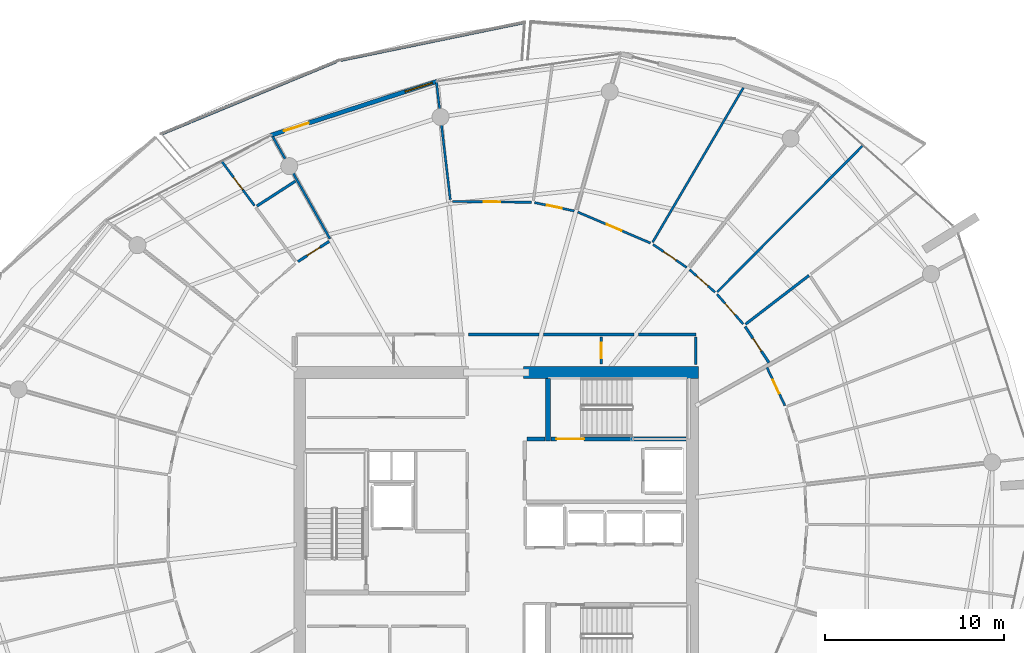
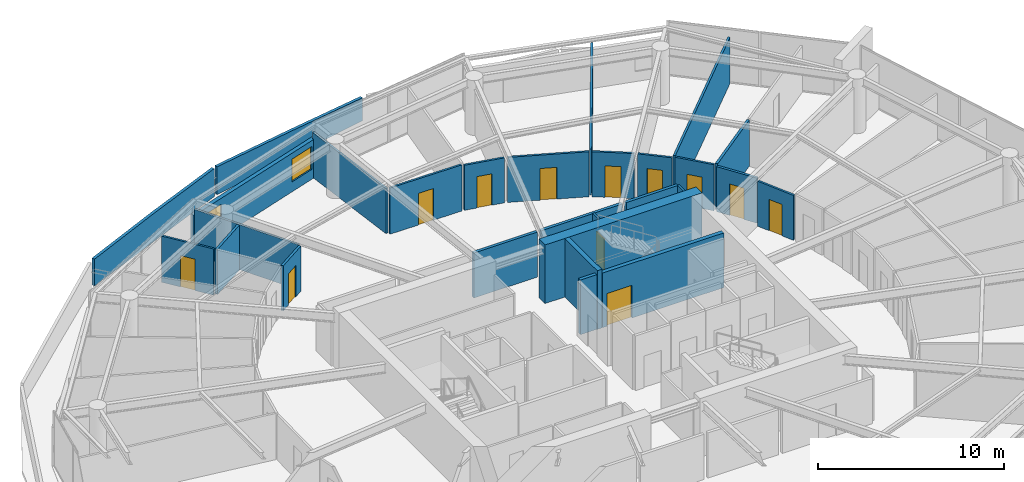
# One storey, part 22 of 30: 28 walls, 13 doors, 1 window, 14 openings.
"""IFC4 building model written with IfcOpenShell, lengths in metres."""

import ifcopenshell
import ifcopenshell.guid

model = None  # the IFC model being written
_history = None  # IfcOwnerHistory: only IFC2X3 demands one
_inside = {}  # id of a spatial element -> (the spatial element, [elements in it])
_under = {}  # id of a project, library or spatial element -> (it, [spatial elements below it])
_declared = {}  # id of a project -> (the project, [libraries it declares])
_typed = {}  # id of a type object -> (the type object, [elements of that type])
_made_of = {}  # id of a material, layer set ... -> (it, [elements and type objects made of it])


def new_model(schema):
    """Start an empty IFC model of exactly this schema.

    Asked for "IFC4X3", IfcOpenShell would pick the latest addendum, in which some entities
    have other attributes; the version numbers below select the first issue.
    IFC2X3 requires an IfcOwnerHistory on every rooted entity: one is made here for all.
    """
    global model, _history
    if schema == "IFC4X3":
        model = ifcopenshell.file(schema_version=(4, 3, 0, 0))
    else:
        model = ifcopenshell.file(schema=schema)
    _inside.clear()
    _under.clear()
    _declared.clear()
    _typed.clear()
    _made_of.clear()
    _history = None
    if model.schema == "IFC2X3":
        org = make("IfcOrganization", Name="unknown")
        user = make(
            "IfcPersonAndOrganization",
            ThePerson=make("IfcPerson", FamilyName="unknown"),
            TheOrganization=org,
        )
        app = make(
            "IfcApplication",
            ApplicationDeveloper=org,
            Version="unknown",
            ApplicationFullName="unknown",
            ApplicationIdentifier="unknown",
        )
        _history = make(
            "IfcOwnerHistory",
            OwningUser=user,
            OwningApplication=app,
            ChangeAction="ADDED",
            CreationDate=0,
        )
    return model


def make(cls, **values):
    """One entity of the class cls with the attributes given. An attribute that is None is left unset."""
    return model.create_entity(
        cls, **{name: value for name, value in values.items() if value is not None}
    )


def rooted(cls, **values):
    """An entity with a GlobalId (a new one), such as an element, a storey or a relation."""
    return make(cls, GlobalId=ifcopenshell.guid.new(), OwnerHistory=_history, **values)


def si_unit(unit_type, name, prefix=None):
    """IfcSIUnit, for example si_unit("LENGTHUNIT", "METRE", prefix="MILLI")."""
    return make("IfcSIUnit", UnitType=unit_type, Prefix=prefix, Name=name)


def assignment(units):
    """IfcUnitAssignment: the units of a project."""
    return None if units is None else make("IfcUnitAssignment", Units=units)


def point(xyz):
    """IfcCartesianPoint."""
    return None if xyz is None else make("IfcCartesianPoint", Coordinates=xyz)


def direction(xyz):
    """IfcDirection."""
    return None if xyz is None else make("IfcDirection", DirectionRatios=xyz)


def frame(location, z_axis=None, x_axis=None):
    """IfcAxis2Placement3D, a coordinate frame: its origin and axes. An axis left out is left unset."""
    return make(
        "IfcAxis2Placement3D",
        Location=point(location),
        Axis=direction(z_axis),
        RefDirection=direction(x_axis),
    )


def frame_2d(location, x_axis=None):
    """IfcAxis2Placement2D, a coordinate frame in the plane: its origin and x axis."""
    return make(
        "IfcAxis2Placement2D", Location=point(location), RefDirection=direction(x_axis)
    )


def origin():
    """The frame at (0, 0, 0) with its axes left unset."""
    return frame((0.0, 0.0, 0.0))


def place(relative_to, where):
    """IfcLocalPlacement: puts the frame where relative to a parent placement (None: the world)."""
    return make(
        "IfcLocalPlacement", PlacementRelTo=relative_to, RelativePlacement=where
    )


def context(
    kind, dimensions, precision=None, world=None, true_north=None, identifier=None
):
    """IfcGeometricRepresentationContext, for example the 3D "Model" context."""
    return make(
        "IfcGeometricRepresentationContext",
        ContextIdentifier=identifier,
        ContextType=kind,
        CoordinateSpaceDimension=dimensions,
        Precision=precision,
        WorldCoordinateSystem=world,
        TrueNorth=true_north,
    )


def subcontext(parent, identifier, kind, view, scale=None):
    """IfcGeometricRepresentationSubContext, for example "Body" below "Model"."""
    return make(
        "IfcGeometricRepresentationSubContext",
        ContextIdentifier=identifier,
        ContextType=kind,
        ParentContext=parent,
        TargetScale=scale,
        TargetView=view,
    )


def project(units=None, contexts=None):
    """IfcProject with its units and contexts."""
    return rooted(
        "IfcProject",
        Name="project",
        RepresentationContexts=contexts,
        UnitsInContext=assignment(units),
    )


def spatial(cls, under=None, at=None, **own):
    """A site, building, storey or space (cls), placed at a placement, below another one or the project."""
    s = rooted(cls, ObjectPlacement=at, **own)
    if under is not None:
        _under.setdefault(under.id(), (under, []))[1].append(s)
    return s


def polyline(points):
    """IfcPolyline through the points."""
    return make("IfcPolyline", Points=[point(p) for p in points])


def profile(cls, at=None, kind="AREA", **sizes):
    """A parametric profile (cls). Its sizes go by their IFC names, for example OverallWidth=200.0."""
    return make(cls, ProfileType=kind, Position=at, **sizes)


def rectangle(**sizes):
    """IfcRectangleProfileDef."""
    return profile("IfcRectangleProfileDef", **sizes)


def outline(outer, holes=None, kind="AREA"):
    """IfcArbitraryClosedProfileDef: a profile drawn as a closed curve; with holes, ...WithVoids."""
    if holes is None:
        return make("IfcArbitraryClosedProfileDef", ProfileType=kind, OuterCurve=outer)
    return make(
        "IfcArbitraryProfileDefWithVoids",
        ProfileType=kind,
        OuterCurve=outer,
        InnerCurves=holes,
    )


def extrude(swept, where, along, depth):
    """IfcExtrudedAreaSolid: the profile swept, set in the frame where, extruded along a direction by depth."""
    return make(
        "IfcExtrudedAreaSolid",
        SweptArea=swept,
        Position=where,
        ExtrudedDirection=direction(along),
        Depth=depth,
    )


def shape(context_of_items, identifier, shape_type, items):
    """IfcShapeRepresentation: the items that make up one representation, for example the "Body"."""
    return make(
        "IfcShapeRepresentation",
        ContextOfItems=context_of_items,
        RepresentationIdentifier=identifier,
        RepresentationType=shape_type,
        Items=items,
    )


def material(Name=None, Category=None):
    """IfcMaterial."""
    return make("IfcMaterial", Name=Name, Category=Category)


def layer(
    of_material, thickness, ventilated=None, Name=None, Category=None, Priority=None
):
    """IfcMaterialLayer: one layer of a wall or slab, of a material (None: an air gap)."""
    return make(
        "IfcMaterialLayer",
        Material=of_material,
        LayerThickness=thickness,
        IsVentilated=ventilated,
        Name=Name,
        Category=Category,
        Priority=Priority,
    )


def layer_set(layers, Name=None):
    """IfcMaterialLayerSet."""
    return make("IfcMaterialLayerSet", MaterialLayers=layers, LayerSetName=Name)


def made_of(thing, what):
    """Note that an element or type object is made of a material, layer set ...; save() writes the relation."""
    if what is not None:
        _made_of.setdefault(what.id(), (what, []))[1].append(thing)
    return thing


def type_object(cls, material=None, **own):
    """A type object (cls), such as IfcWallType, which elements share."""
    return made_of(rooted(cls, **own), material)


def element(
    cls,
    number,
    at=None,
    inside=None,
    cuts=None,
    type_object=None,
    material=None,
    context=None,
    identifier="Body",
    shape_type=None,
    held_by="IfcProductDefinitionShape",
    body=None,
    shapes=None,
    **own,
):
    """One element of the class cls, such as IfcWall. Its Tag is "e" and its number.

    at: its placement. inside: the storey or other place that contains it. cuts: it is an
    opening in that element (IfcRelVoidsElement). A single representation is given by context,
    identifier, shape_type and body (its items); several are given by shapes. held_by: the class
    of the entity that holds the representations. save() writes the other relations.
    """
    e = rooted(cls, Tag="e%d" % number, ObjectPlacement=at, **own)
    if body is not None:
        shapes = [shape(context, identifier, shape_type, body)]
    if shapes is not None:
        e.Representation = make(held_by, Representations=shapes)
    if inside is not None:
        _inside.setdefault(inside.id(), (inside, []))[1].append(e)
    if cuts is not None:
        rooted(
            "IfcRelVoidsElement", RelatingBuildingElement=cuts, RelatedOpeningElement=e
        )
    if type_object is not None:
        _typed.setdefault(type_object.id(), (type_object, []))[1].append(e)
    return made_of(e, material)


def fill(opening, filler):
    """IfcRelFillsElement: the door or window that sits in an opening."""
    return rooted(
        "IfcRelFillsElement",
        RelatingOpeningElement=opening,
        RelatedBuildingElement=filler,
    )


def aggregate(whole, parts):
    """IfcRelAggregates: a whole, such as a stair, and the parts it consists of."""
    return rooted("IfcRelAggregates", RelatingObject=whole, RelatedObjects=parts)


def save(model, path):
    """Write the relations noted so far, then the file.

    IfcRelAggregates (storeys below a building ...), IfcRelContainedInSpatialStructure (elements
    in a storey), IfcRelDefinesByType, IfcRelAssociatesMaterial and IfcRelDeclares: one each for
    every whole, place, type object, material and project.
    """
    for whole, parts in _under.values():
        aggregate(whole, parts)
    for where, things in _inside.values():
        rooted(
            "IfcRelContainedInSpatialStructure",
            RelatedElements=things,
            RelatingStructure=where,
        )
    for kind, things in _typed.values():
        rooted("IfcRelDefinesByType", RelatedObjects=things, RelatingType=kind)
    for what, things in _made_of.values():
        rooted("IfcRelAssociatesMaterial", RelatedObjects=things, RelatingMaterial=what)
    for by, libraries in _declared.values():
        rooted("IfcRelDeclares", RelatingContext=by, RelatedDefinitions=libraries)
    model.write(path)


model = new_model("IFC4")

# Units and contexts
model_context = context("Model", 3, precision=1e-05, world=origin(), true_north=direction((0.0, 1.0)))
body_context = subcontext(model_context, "Body", "Model", "MODEL_VIEW")
ifc_project = project(units=[si_unit("LENGTHUNIT", "METRE"), si_unit("AREAUNIT", "SQUARE_METRE"), si_unit("VOLUMEUNIT", "CUBIC_METRE"), si_unit("PLANEANGLEUNIT", "RADIAN"), si_unit("MASSUNIT", "GRAM", prefix="KILO")], contexts=[model_context])

# Site, building, storey
site_placement = place(None, origin())
site = spatial("IfcSite", under=ifc_project, at=site_placement, CompositionType="ELEMENT")
building_placement = place(site_placement, origin())
building = spatial("IfcBuilding", under=site, at=building_placement, Name="Kazma Halo Residences", CompositionType="ELEMENT")
storey_placement = place(building_placement, frame((0.0, 0.0, 244.39990234375)))
storey = spatial("IfcBuildingStorey", under=building, at=storey_placement, Name="L61", CompositionType="ELEMENT", Elevation=244.39990234375)

# Walls
ifc_material_1 = material(Name="White Concrete C50/60 Balustrade", Category="concrete")
ifc_layer_1 = layer(ifc_material_1, 0.179931640625)
ifc_layer_set_1 = layer_set([ifc_layer_1], Name="White Concrete C50/60 Balustrade")
wall_type_1 = type_object("IfcWallType", Name="WL-BAL-WAVE-180", PredefinedType="PARAPET", material=ifc_layer_set_1)
wall_1_placement = place(storey_placement, frame((50.02099609375, 69.85546875, 0.0), z_axis=(0.0, 0.0, 1.0), x_axis=(-0.979472745479, -0.201576637692, 0.0)))
element("IfcWall", 1, at=wall_1_placement, inside=storey, type_object=wall_type_1, Name="L61 white wave balustrade wall NNW.1", PredefinedType="PARAPET", context=body_context, shape_type="SweptSolid", body=[
    extrude(outline(polyline([(0.0, 0.0), (10.475341796875, 0.0), (10.4755859375, 1.83203125), (5.23779296875, 1.696044921875), (0.0, 1.4970703125), (0.0, 0.0)])), frame((0.0, 0.08984375, 0.0), z_axis=(0.0, -1.0, 0.0), x_axis=(1.0, 0.0, 0.0)), (0.0, 0.0, 1.0), 0.179931640625),
])
wall_2_placement = place(storey_placement, frame((39.5322265625, 67.673583984375, 0.0), z_axis=(0.0, 0.0, 1.0), x_axis=(-0.92394906856, -0.382515514336, 0.0)))
element("IfcWall", 2, at=wall_2_placement, inside=storey, type_object=wall_type_1, Name="L61 white wave balustrade wall NNW.2", PredefinedType="PARAPET", context=body_context, shape_type="SweptSolid", body=[
    extrude(outline(polyline([(0.0, 0.0), (10.580322265625, 0.0), (10.580322265625, 1.756103515625), (5.290283203125, 1.85302734375), (0.0, 1.83203125), (0.0, 0.0)])), frame((0.0, 0.08984375, 0.0), z_axis=(0.0, -1.0, 0.0), x_axis=(1.0, 0.0, 0.0)), (0.0, 0.0, 1.0), 0.179931640625),
])
ifc_material_2 = material(Name="Concrete C60/75", Category="concrete")
ifc_layer_2 = layer(ifc_material_2, 0.64990234375)
ifc_layer_set_2 = layer_set([ifc_layer_2], Name="Concrete C60/75")
wall_type_2 = type_object("IfcWallType", Name="WL-CORE-650", PredefinedType="SHEAR", material=ifc_layer_set_2)
wall_3_placement = place(storey_placement, frame((49.949951171875, 50.324951171875, 0.0), z_axis=(0.0, 0.0, 1.0), x_axis=(1.0, 0.0, 0.0)))
element("IfcWall", 3, at=wall_3_placement, inside=storey, type_object=wall_type_2, Name="L61 central core shear wall NE", PredefinedType="SHEAR", context=body_context, shape_type="SweptSolid", body=[
    extrude(rectangle(XDim=9.75, YDim=0.64990234375, at=frame_2d((4.875, 0.0))), origin(), (0.0, 0.0, 1.0), 3.85009765625),
])
ifc_layer_3 = layer(ifc_material_2, 0.280029296875)
ifc_layer_set_3 = layer_set([ifc_layer_3], Name="Concrete C60/75")
wall_type_3 = type_object("IfcWallType", Name="WL-CORE-ST-280", PredefinedType="SHEAR", material=ifc_layer_set_3)
wall_4_placement = place(storey_placement, frame((51.31005859375, 46.5, 0.0), z_axis=(0.0, 0.0, 1.0), x_axis=(0.0, 1.0, 0.0)))
element("IfcWall", 4, at=wall_4_placement, inside=storey, type_object=wall_type_3, Name="L61 stairwell bearing wall ST02-W", PredefinedType="SHEAR", context=body_context, shape_type="SweptSolid", body=[
    extrude(rectangle(XDim=3.5, YDim=0.280029296875, at=frame_2d((1.75, 0.0))), origin(), (0.0, 0.0, 1.0), 3.85009765625),
])
ifc_material_3 = material(Name="Acoustic Twin-Stud Gypsum")
ifc_layer_4 = layer(ifc_material_3, 0.179931640625)
ifc_layer_set_4 = layer_set([ifc_layer_4], Name="Acoustic Twin-Stud Gypsum")
wall_type_4 = type_object("IfcWallType", Name="WL-DEM-180", PredefinedType="PARTITIONING", material=ifc_layer_set_4)
wall_5_placement = place(storey_placement, frame((59.580078125, 52.449951171875, 0.0), z_axis=(0.0, 0.0, 1.0), x_axis=(-1.0, 0.0, 0.0)))
element("IfcWall", 5, at=wall_5_placement, inside=storey, type_object=wall_type_4, Name="L61 Apartment 1 inner wall 0", PredefinedType="PARTITIONING", context=body_context, shape_type="SweptSolid", body=[
    extrude(rectangle(XDim=3.221923828125, YDim=0.179931640625, at=frame_2d((1.61083984375, 0.0))), origin(), (0.0, 0.0, 1.0), 2.95703125),
])
wall_6_placement = place(storey_placement, frame((56.1181640625, 52.449951171875, 0.0), z_axis=(0.0, 0.0, 1.0), x_axis=(-1.0, 0.0, 0.0)))
element("IfcWall", 6, at=wall_6_placement, inside=storey, type_object=wall_type_4, Name="L61 Apartment 1 inner wall 1", PredefinedType="PARTITIONING", context=body_context, shape_type="SweptSolid", body=[
    extrude(rectangle(XDim=5.051025390625, YDim=0.179931640625, at=frame_2d((2.525390625, 0.0))), origin(), (0.0, 0.0, 1.0), 2.95703125),
])
wall_7_placement = place(storey_placement, frame((50.8271484375, 52.449951171875, 0.0), z_axis=(0.0, 0.0, 1.0), x_axis=(-1.0, 0.0, 0.0)))
element("IfcWall", 7, at=wall_7_placement, inside=storey, type_object=wall_type_4, Name="L61 Apartment 1 inner wall 2", PredefinedType="PARTITIONING", context=body_context, shape_type="SweptSolid", body=[
    extrude(rectangle(XDim=3.94384765625, YDim=0.179931640625, at=frame_2d((1.971923828125, 0.0))), origin(), (0.0, 0.0, 1.0), 2.95703125),
])

# Wall, openings, door, window
ifc_material_4 = material(Name="Insulated Pale-Metal Composite Wall")
ifc_layer_5 = layer(ifc_material_4, 0.239990234375)
ifc_layer_set_5 = layer_set([ifc_layer_5], Name="Insulated Pale-Metal Composite Wall")
wall_type_5 = type_object("IfcWallType", Name="WL-EXT-HOST-240", PredefinedType="SOLIDWALL", material=ifc_layer_set_5)
wall_8_placement = place(storey_placement, frame((45.14208984375, 66.563720703125, 0.0), z_axis=(0.0, 0.0, 1.0), x_axis=(-0.951055974609, -0.309018661507, 0.0)))
wall_8 = element("IfcWall", 8, at=wall_8_placement, inside=storey, type_object=wall_type_5, Name="L61 exterior terrace-access wall B04", PredefinedType="SOLIDWALL", context=body_context, shape_type="SweptSolid", body=[
    extrude(rectangle(XDim=9.745361328125, YDim=0.239990234375, at=frame_2d((4.87255859375, 0.0))), origin(), (0.0, 0.0, 1.0), 2.5400390625),
])
opening_1_placement = place(wall_8_placement, frame((7.525390625, 0.0, 0.0)))
opening_1 = element("IfcOpeningElement", 9, at=opening_1_placement, cuts=wall_8, Name="Opening DTR-1600", PredefinedType="OPENING", context=body_context, shape_type="SweptSolid", body=[
    extrude(rectangle(XDim=1.449951171875, YDim=2.14990234375, at=frame_2d((0.72509765625, 1.074951171875))), frame((0.0, 0.1298828125, 0.0), z_axis=(0.0, -1.0, 0.0), x_axis=(1.0, 0.0, 0.0)), (0.0, 0.0, 1.0), 0.260009765625),
])
opening_2_placement = place(wall_8_placement, frame((0.280029296875, 0.0, 0.64990234375)))
opening_2 = element("IfcOpeningElement", 10, at=opening_2_placement, cuts=wall_8, Name="Opening W-1800", PredefinedType="OPENING", context=body_context, shape_type="SweptSolid", body=[
    extrude(rectangle(XDim=1.60009765625, YDim=1.5, at=frame_2d((0.800048828125, 0.75))), frame((0.0, 0.1298828125, 0.0), z_axis=(0.0, -1.0, 0.0), x_axis=(1.0, 0.0, 0.0)), (0.0, 0.0, 1.0), 0.260009765625),
])
ifc_material_5 = material(Name="Aluminium AW-6063 T6 Double-Glazed Terrace Door", Category="aluminium")
door_type_1 = type_object("IfcDoorType", Name="DR-EXT-TERR-1600", OperationType="NOTDEFINED", PredefinedType="DOOR", material=ifc_material_5)
door_1_placement = place(opening_1_placement, origin())
door_1 = element("IfcDoor", 11, at=door_1_placement, inside=storey, type_object=door_type_1, Name="L61 B04 balcony terrace door", OperationType="DOUBLE_DOOR_SLIDING", OverallHeight=2.14990234375, OverallWidth=1.449951171875, PredefinedType="DOOR", context=body_context, shape_type="SweptSolid", body=[
    extrude(rectangle(XDim=1.449951171875, YDim=2.14990234375, at=frame_2d((0.72509765625, 1.074951171875))), frame((0.0, 0.02490234375, 0.0), z_axis=(0.0, -1.0, 0.0), x_axis=(1.0, 0.0, 0.0)), (0.0, 0.0, 1.0), 0.050048828125),
])
fill(opening_1, door_1)
ifc_material_6 = material(Name="Clear Triple-Silver Low-E Glass in Aluminium AW-6063 T6 Frame", Category="aluminium")
window_type = type_object("IfcWindowType", Name="WIN-RES-1800", PartitioningType="DOUBLE_PANEL_VERTICAL", PredefinedType="WINDOW", material=ifc_material_6)
window_placement = place(opening_2_placement, origin())
window = element("IfcWindow", 12, at=window_placement, inside=storey, type_object=window_type, Name="L61 B04 apartment window", OverallHeight=1.5, OverallWidth=1.60009765625, PartitioningType="SINGLE_PANEL", PredefinedType="WINDOW", context=body_context, shape_type="SweptSolid", body=[
    extrude(rectangle(XDim=1.60009765625, YDim=1.5, at=frame_2d((0.800048828125, 0.75))), frame((0.0, 0.030029296875, 0.0), z_axis=(0.0, -1.0, 0.0), x_axis=(1.0, 0.0, 0.0)), (0.0, 0.0, 1.0), 0.06005859375),
])
fill(opening_2, window)

# Walls
ifc_material_7 = material(Name="Fire-Rated Blockwork Masonry", Category="masonry")
ifc_layer_6 = layer(ifc_material_7, 0.199951171875)
ifc_layer_set_6 = layer_set([ifc_layer_6], Name="Fire-Rated Blockwork Masonry")
wall_type_6 = type_object("IfcWallType", Name="WL-FLB-200", PredefinedType="PARTITIONING", material=ifc_layer_set_6)
wall_9_placement = place(storey_placement, frame((50.139892578125, 46.6201171875, 0.0), z_axis=(0.0, 0.0, 1.0), x_axis=(1.0, 0.0, 0.0)))
element("IfcWall", 13, at=wall_9_placement, inside=storey, type_object=wall_type_6, Name="L61 east firefighting lobby north closure wall", PredefinedType="PARTITIONING", context=body_context, shape_type="SweptSolid", body=[
    extrude(rectangle(XDim=1.02001953125, YDim=0.199951171875, at=frame_2d((0.510009765625, 0.0))), origin(), (0.0, 0.0, 1.0), 3.590087890625),
])
ifc_material_8 = material(Name="Gypsum Plasterboard Partition")
ifc_layer_7 = layer(ifc_material_8, 0.125)
ifc_layer_set_7 = layer_set([ifc_layer_7], Name="Gypsum Plasterboard Partition")
wall_type_7 = type_object("IfcWallType", Name="WL-PART-125", PredefinedType="PARTITIONING", material=ifc_layer_set_7)
wall_10_placement = place(storey_placement, frame((59.56005859375, 50.77001953125, 0.0), z_axis=(0.0, 0.0, 1.0), x_axis=(0.0, 1.0, 0.0)))
element("IfcWall", 14, at=wall_10_placement, inside=storey, type_object=wall_type_7, Name="L61 east cupboard end wall", PredefinedType="PARTITIONING", context=body_context, shape_type="SweptSolid", body=[
    extrude(rectangle(XDim=1.5400390625, YDim=0.125, at=frame_2d((0.77001953125, 0.0))), origin(), (0.0, 0.0, 1.0), 3.030029296875),
])

# Wall, opening, door
wall_11_placement = place(storey_placement, frame((54.2900390625, 50.7900390625, 0.0), z_axis=(0.0, 0.0, 1.0), x_axis=(0.0, 1.0, 0.0)))
wall_11 = element("IfcWall", 15, at=wall_11_placement, inside=storey, type_object=wall_type_7, Name="L61 floor metering cupboard door wall", PredefinedType="PARTITIONING", context=body_context, shape_type="SweptSolid", body=[
    extrude(rectangle(XDim=1.52001953125, YDim=0.125, at=frame_2d((0.760009765625, 0.0))), origin(), (0.0, 0.0, 1.0), 3.030029296875),
])
opening_3_placement = place(wall_11_placement, frame((0.3349609375, 0.0, 0.0)))
opening_3 = element("IfcOpeningElement", 16, at=opening_3_placement, cuts=wall_11, Name="Opening DS-850", PredefinedType="OPENING", context=body_context, shape_type="SweptSolid", body=[
    extrude(rectangle(XDim=0.85009765625, YDim=2.06005859375, at=frame_2d((0.425048828125, 1.030029296875))), frame((0.0, 0.072509765625, 0.0), z_axis=(0.0, -1.0, 0.0), x_axis=(1.0, 0.0, 0.0)), (0.0, 0.0, 1.0), 0.14501953125),
])
ifc_material_9 = material(Name="Painted Steel Access Leaf", Category="steel")
door_type_2 = type_object("IfcDoorType", Name="DR-SVC-850", OperationType="NOTDEFINED", PredefinedType="DOOR", material=ifc_material_9)
door_2_placement = place(opening_3_placement, origin())
door_2 = element("IfcDoor", 17, at=door_2_placement, inside=storey, type_object=door_type_2, Name="L61 floor cupboard door", OperationType="SINGLE_SWING_LEFT", OverallHeight=2.06005859375, OverallWidth=0.85009765625, PredefinedType="DOOR", context=body_context, shape_type="SweptSolid", body=[
    extrude(rectangle(XDim=0.85009765625, YDim=2.06005859375, at=frame_2d((0.425048828125, 1.030029296875))), frame((0.0, 0.02490234375, 0.0), z_axis=(0.0, -1.0, 0.0), x_axis=(1.0, 0.0, 0.0)), (0.0, 0.0, 1.0), 0.050048828125),
])
fill(opening_3, door_2)

# Wall
wall_12_placement = place(storey_placement, frame((60.749267578125, 54.8154296875, 0.0), z_axis=(0.0, 0.0, 1.0), x_axis=(0.705267705861, 0.708941085753, 0.0)))
element("IfcWall", 18, at=wall_12_placement, inside=storey, type_object=wall_type_7, Name="L61 Apartment 1 suite divider 0", PredefinedType="PARTITIONING", context=body_context, shape_type="SweptSolid", body=[
    extrude(rectangle(XDim=11.498046875, YDim=0.125, at=frame_2d((5.7490234375, 0.0))), origin(), (0.0, 0.0, 1.0), 3.030029296875),
])

# Wall, opening, door
wall_13_placement = place(storey_placement, frame((62.200439453125, 53.030517578125, 0.0), z_axis=(0.0, 0.0, 1.0), x_axis=(-0.660650282497, 0.750693815238, 0.0)))
wall_13 = element("IfcWall", 19, at=wall_13_placement, inside=storey, type_object=wall_type_7, Name="L61 Apartment 1 Gourmet Kitchen hall wall", PredefinedType="PARTITIONING", context=body_context, shape_type="SweptSolid", body=[
    extrude(rectangle(XDim=2.21240234375, YDim=0.125, at=frame_2d((1.106201171875, 0.0))), origin(), (0.0, 0.0, 1.0), 3.030029296875),
])
opening_4_placement = place(wall_13_placement, frame((0.681396484375, 0.0, 0.0)))
opening_4 = element("IfcOpeningElement", 20, at=opening_4_placement, cuts=wall_13, Name="Opening DB-900", PredefinedType="OPENING", context=body_context, shape_type="SweptSolid", body=[
    extrude(rectangle(XDim=0.85009765625, YDim=2.06005859375, at=frame_2d((0.425048828125, 1.030029296875))), frame((0.0, 0.072509765625, 0.0), z_axis=(0.0, -1.0, 0.0), x_axis=(1.0, 0.0, 0.0)), (0.0, 0.0, 1.0), 0.14501953125),
])
ifc_material_10 = material(Name="Moisture-Sealed Timber Leaf", Category="wood")
door_type_3 = type_object("IfcDoorType", Name="DR-BTH-900", OperationType="NOTDEFINED", PredefinedType="DOOR", material=ifc_material_10)
door_3_placement = place(opening_4_placement, origin())
door_3 = element("IfcDoor", 21, at=door_3_placement, inside=storey, type_object=door_type_3, Name="L61 Apartment 1 Gourmet Kitchen door", OperationType="SINGLE_SWING_RIGHT", OverallHeight=2.06005859375, OverallWidth=0.85009765625, PredefinedType="DOOR", context=body_context, shape_type="SweptSolid", body=[
    extrude(rectangle(XDim=0.85009765625, YDim=2.06005859375, at=frame_2d((0.425048828125, 1.030029296875))), frame((0.0, 0.02490234375, 0.0), z_axis=(0.0, -1.0, 0.0), x_axis=(1.0, 0.0, 0.0)), (0.0, 0.0, 1.0), 0.050048828125),
])
fill(opening_4, door_3)

wall_14_placement = place(storey_placement, frame((60.6259765625, 54.8046875, 0.0), z_axis=(0.0, 0.0, 1.0), x_axis=(-0.748419746602, 0.663225363581, 0.0)))
wall_14 = element("IfcWall", 22, at=wall_14_placement, inside=storey, type_object=wall_type_7, Name="L61 Apartment 1 Primary Bedroom hall wall", PredefinedType="PARTITIONING", context=body_context, shape_type="SweptSolid", body=[
    extrude(rectangle(XDim=1.891357421875, YDim=0.125, at=frame_2d((0.94580078125, 0.0))), origin(), (0.0, 0.0, 1.0), 2.95703125),
])
opening_5_placement = place(wall_14_placement, frame((0.520751953125, 0.0, 0.0)))
opening_5 = element("IfcOpeningElement", 23, at=opening_5_placement, cuts=wall_14, Name="Opening DB-900", PredefinedType="OPENING", context=body_context, shape_type="SweptSolid", body=[
    extrude(rectangle(XDim=0.85009765625, YDim=2.06005859375, at=frame_2d((0.425048828125, 1.030029296875))), frame((0.0, 0.072509765625, 0.0), z_axis=(0.0, -1.0, 0.0), x_axis=(1.0, 0.0, 0.0)), (0.0, 0.0, 1.0), 0.14501953125),
])
door_4_placement = place(opening_5_placement, origin())
door_4 = element("IfcDoor", 24, at=door_4_placement, inside=storey, type_object=door_type_3, Name="L61 Apartment 1 Primary Bedroom door", OperationType="SINGLE_SWING_LEFT", OverallHeight=2.06005859375, OverallWidth=0.85009765625, PredefinedType="DOOR", context=body_context, shape_type="SweptSolid", body=[
    extrude(rectangle(XDim=0.85009765625, YDim=2.06005859375, at=frame_2d((0.425048828125, 1.030029296875))), frame((0.0, 0.02490234375, 0.0), z_axis=(0.0, -1.0, 0.0), x_axis=(1.0, 0.0, 0.0)), (0.0, 0.0, 1.0), 0.050048828125),
])
fill(opening_5, door_4)

# Wall
wall_15_placement = place(storey_placement, frame((57.153076171875, 57.58837890625, 0.0), z_axis=(0.0, 0.0, 1.0), x_axis=(0.506323477253, 0.862343630105, 0.0)))
element("IfcWall", 25, at=wall_15_placement, inside=storey, type_object=wall_type_7, Name="L61 Apartment 1 mid-bay wall 1", PredefinedType="PARTITIONING", context=body_context, shape_type="SweptSolid", body=[
    extrude(rectangle(XDim=9.988037109375, YDim=0.125, at=frame_2d((4.994140625, 0.0))), origin(), (0.0, 0.0, 1.0), 3.030029296875),
])

# Wall, opening, door
wall_16_placement = place(storey_placement, frame((59.052978515625, 56.181884765625, 0.0), z_axis=(0.0, 0.0, 1.0), x_axis=(-0.825709590898, 0.56409544538, 0.0)))
wall_16 = element("IfcWall", 26, at=wall_16_placement, inside=storey, type_object=wall_type_7, Name="L61 Apartment 1 East Wine Pantry Store hall wall", PredefinedType="PARTITIONING", context=body_context, shape_type="SweptSolid", body=[
    extrude(rectangle(XDim=2.276123046875, YDim=0.125, at=frame_2d((1.13818359375, 0.0))), origin(), (0.0, 0.0, 1.0), 2.95703125),
])
opening_6_placement = place(wall_16_placement, frame((0.713134765625, 0.0, 0.0)))
opening_6 = element("IfcOpeningElement", 27, at=opening_6_placement, cuts=wall_16, Name="Opening DB-900", PredefinedType="OPENING", context=body_context, shape_type="SweptSolid", body=[
    extrude(rectangle(XDim=0.85009765625, YDim=2.06005859375, at=frame_2d((0.425048828125, 1.030029296875))), frame((0.0, 0.072509765625, 0.0), z_axis=(0.0, -1.0, 0.0), x_axis=(1.0, 0.0, 0.0)), (0.0, 0.0, 1.0), 0.14501953125),
])
door_5_placement = place(opening_6_placement, origin())
door_5 = element("IfcDoor", 28, at=door_5_placement, inside=storey, type_object=door_type_3, Name="L61 Apartment 1 East Wine Pantry Store door", OperationType="SINGLE_SWING_LEFT", OverallHeight=2.06005859375, OverallWidth=0.85009765625, PredefinedType="DOOR", context=body_context, shape_type="SweptSolid", body=[
    extrude(rectangle(XDim=0.85009765625, YDim=2.06005859375, at=frame_2d((0.425048828125, 1.030029296875))), frame((0.0, 0.02490234375, 0.0), z_axis=(0.0, -1.0, 0.0), x_axis=(1.0, 0.0, 0.0)), (0.0, 0.0, 1.0), 0.050048828125),
])
fill(opening_6, door_5)

wall_17_placement = place(storey_placement, frame((57.03369140625, 57.542236328125, 0.0), z_axis=(0.0, 0.0, 1.0), x_axis=(-0.919921628857, 0.392102278445, 0.0)))
wall_17 = element("IfcWall", 29, at=wall_17_placement, inside=storey, type_object=wall_type_7, Name="L61 Apartment 1 West Formal Dining Room hall wall", PredefinedType="PARTITIONING", context=body_context, shape_type="SweptSolid", body=[
    extrude(rectangle(XDim=4.41259765625, YDim=0.125, at=frame_2d((2.206298828125, 0.0))), origin(), (0.0, 0.0, 1.0), 2.95703125),
])
opening_7_placement = place(wall_17_placement, frame((1.75634765625, 0.0, 0.0)))
opening_7 = element("IfcOpeningElement", 30, at=opening_7_placement, cuts=wall_17, Name="Opening DI-950", PredefinedType="OPENING", context=body_context, shape_type="SweptSolid", body=[
    extrude(rectangle(XDim=0.89990234375, YDim=2.080078125, at=frame_2d((0.449951171875, 1.0400390625))), frame((0.0, 0.072509765625, 0.0), z_axis=(0.0, -1.0, 0.0), x_axis=(1.0, 0.0, 0.0)), (0.0, 0.0, 1.0), 0.14501953125),
])
ifc_material_11 = material(Name="Timber Veneer Flush Leaf", Category="wood")
door_type_4 = type_object("IfcDoorType", Name="DR-INT-950", OperationType="NOTDEFINED", PredefinedType="DOOR", material=ifc_material_11)
door_6_placement = place(opening_7_placement, origin())
door_6 = element("IfcDoor", 31, at=door_6_placement, inside=storey, type_object=door_type_4, Name="L61 Apartment 1 West Formal Dining Room door", OperationType="SINGLE_SWING_RIGHT", OverallHeight=2.080078125, OverallWidth=0.89990234375, PredefinedType="DOOR", context=body_context, shape_type="SweptSolid", body=[
    extrude(rectangle(XDim=0.89990234375, YDim=2.080078125, at=frame_2d((0.449951171875, 1.0400390625))), frame((0.0, 0.02490234375, 0.0), z_axis=(0.0, -1.0, 0.0), x_axis=(1.0, 0.0, 0.0)), (0.0, 0.0, 1.0), 0.050048828125),
])
fill(opening_7, door_6)

# Wall
wall_18_placement = place(storey_placement, frame((45.8740234375, 59.961669921875, 0.0), z_axis=(0.0, 0.0, 1.0), x_axis=(-0.117533659592, 0.993068899353, 0.0)))
element("IfcWall", 32, at=wall_18_placement, inside=storey, type_object=wall_type_7, Name="L61 Apartment 1 living radial partition 2", PredefinedType="PARTITIONING", context=body_context, shape_type="SweptSolid", body=[
    extrude(rectangle(XDim=6.607666015625, YDim=0.125, at=frame_2d((3.3037109375, 0.0))), origin(), (0.0, 0.0, 1.0), 2.95703125),
])

# Wall, opening, door
wall_19_placement = place(storey_placement, frame((52.784423828125, 59.332275390625, 0.0), z_axis=(0.0, 0.0, 1.0), x_axis=(-0.978655016217, 0.205509997891, 0.0)))
wall_19 = element("IfcWall", 33, at=wall_19_placement, inside=storey, type_object=wall_type_7, Name="L61 Apartment 1 North Dressing Wardrobe hall wall", PredefinedType="PARTITIONING", context=body_context, shape_type="SweptSolid", body=[
    extrude(rectangle(XDim=2.261962890625, YDim=0.125, at=frame_2d((1.130859375, 0.0))), origin(), (0.0, 0.0, 1.0), 2.95703125),
])
opening_8_placement = place(wall_19_placement, frame((0.7060546875, 0.0, 0.0)))
opening_8 = element("IfcOpeningElement", 34, at=opening_8_placement, cuts=wall_19, Name="Opening DB-900", PredefinedType="OPENING", context=body_context, shape_type="SweptSolid", body=[
    extrude(rectangle(XDim=0.85009765625, YDim=2.06005859375, at=frame_2d((0.425048828125, 1.030029296875))), frame((0.0, 0.072509765625, 0.0), z_axis=(0.0, -1.0, 0.0), x_axis=(1.0, 0.0, 0.0)), (0.0, 0.0, 1.0), 0.14501953125),
])
door_7_placement = place(opening_8_placement, origin())
door_7 = element("IfcDoor", 35, at=door_7_placement, inside=storey, type_object=door_type_3, Name="L61 Apartment 1 North Dressing Wardrobe door", OperationType="SINGLE_SWING_RIGHT", OverallHeight=2.06005859375, OverallWidth=0.85009765625, PredefinedType="DOOR", context=body_context, shape_type="SweptSolid", body=[
    extrude(rectangle(XDim=0.85009765625, YDim=2.06005859375, at=frame_2d((0.425048828125, 1.030029296875))), frame((0.0, 0.02490234375, 0.0), z_axis=(0.0, -1.0, 0.0), x_axis=(1.0, 0.0, 0.0)), (0.0, 0.0, 1.0), 0.050048828125),
])
fill(opening_8, door_7)

wall_20_placement = place(storey_placement, frame((50.412353515625, 59.814208984375, 0.0), z_axis=(0.0, 0.0, 1.0), x_axis=(-0.999943934923, 0.01058900422, 0.0)))
wall_20 = element("IfcWall", 36, at=wall_20_placement, inside=storey, type_object=wall_type_7, Name="L61 Apartment 1 South Master Bedroom hall wall", PredefinedType="PARTITIONING", context=body_context, shape_type="SweptSolid", body=[
    extrude(rectangle(XDim=4.4267578125, YDim=0.125, at=frame_2d((2.21337890625, 0.0))), origin(), (0.0, 0.0, 1.0), 3.030029296875),
])
opening_9_placement = place(wall_20_placement, frame((1.763427734375, 0.0, 0.0)))
opening_9 = element("IfcOpeningElement", 37, at=opening_9_placement, cuts=wall_20, Name="Opening DI-950", PredefinedType="OPENING", context=body_context, shape_type="SweptSolid", body=[
    extrude(rectangle(XDim=0.89990234375, YDim=2.080078125, at=frame_2d((0.449951171875, 1.0400390625))), frame((0.0, 0.072509765625, 0.0), z_axis=(0.0, -1.0, 0.0), x_axis=(1.0, 0.0, 0.0)), (0.0, 0.0, 1.0), 0.14501953125),
])
door_8_placement = place(opening_9_placement, origin())
door_8 = element("IfcDoor", 38, at=door_8_placement, inside=storey, type_object=door_type_4, Name="L61 Apartment 1 South Master Bedroom door", OperationType="SINGLE_SWING_LEFT", OverallHeight=2.080078125, OverallWidth=0.89990234375, PredefinedType="DOOR", context=body_context, shape_type="SweptSolid", body=[
    extrude(rectangle(XDim=0.89990234375, YDim=2.080078125, at=frame_2d((0.449951171875, 1.0400390625))), frame((0.0, 0.02490234375, 0.0), z_axis=(0.0, -1.0, 0.0), x_axis=(1.0, 0.0, 0.0)), (0.0, 0.0, 1.0), 0.050048828125),
])
fill(opening_9, door_8)

# Wall
wall_21_placement = place(storey_placement, frame((39.162353515625, 57.78076171875, 0.0), z_axis=(0.0, 0.0, 1.0), x_axis=(-0.488634212347, 0.872488742921, 0.0)))
element("IfcWall", 39, at=wall_21_placement, inside=storey, type_object=wall_type_7, Name="L61 Apartment 1 radial partition 4", PredefinedType="PARTITIONING", context=body_context, shape_type="SweptSolid", body=[
    extrude(rectangle(XDim=6.5078125, YDim=0.125, at=frame_2d((3.25390625, 0.0))), origin(), (0.0, 0.0, 1.0), 2.95703125),
])

# Wall, opening, door
wall_22_placement = place(storey_placement, frame((34.958984375, 59.62744140625, 0.0), z_axis=(0.0, 0.0, 1.0), x_axis=(-0.594802878268, 0.803871591738, 0.0)))
wall_22 = element("IfcWall", 40, at=wall_22_placement, inside=storey, type_object=wall_type_7, Name="L61 Apartment 1 Outer Walk-In Wardrobe partition wall", PredefinedType="PARTITIONING", context=body_context, shape_type="SweptSolid", body=[
    extrude(rectangle(XDim=3.06640625, YDim=0.125, at=frame_2d((1.533203125, 0.0))), origin(), (0.0, 0.0, 1.0), 3.030029296875),
])
opening_10_placement = place(wall_22_placement, frame((1.1083984375, 0.0, 0.0)))
opening_10 = element("IfcOpeningElement", 41, at=opening_10_placement, cuts=wall_22, Name="Opening DB-900", PredefinedType="OPENING", context=body_context, shape_type="SweptSolid", body=[
    extrude(rectangle(XDim=0.85009765625, YDim=2.06005859375, at=frame_2d((0.425048828125, 1.030029296875))), frame((0.0, 0.072509765625, 0.0), z_axis=(0.0, -1.0, 0.0), x_axis=(1.0, 0.0, 0.0)), (0.0, 0.0, 1.0), 0.14501953125),
])
door_9_placement = place(opening_10_placement, origin())
door_9 = element("IfcDoor", 42, at=door_9_placement, inside=storey, type_object=door_type_3, Name="L61 Apartment 1 Outer Walk-In Wardrobe door", OperationType="SINGLE_SWING_LEFT", OverallHeight=2.06005859375, OverallWidth=0.85009765625, PredefinedType="DOOR", context=body_context, shape_type="SweptSolid", body=[
    extrude(rectangle(XDim=0.85009765625, YDim=2.06005859375, at=frame_2d((0.425048828125, 1.030029296875))), frame((0.0, 0.02490234375, 0.0), z_axis=(0.0, -1.0, 0.0), x_axis=(1.0, 0.0, 0.0)), (0.0, 0.0, 1.0), 0.050048828125),
])
fill(opening_10, door_9)

wall_23_placement = place(storey_placement, frame((64.52685546875, 48.479248046875, 0.0), z_axis=(0.0, 0.0, 1.0), x_axis=(-0.425751972865, 0.904839907167, 0.0)))
wall_23 = element("IfcWall", 43, at=wall_23_placement, inside=storey, type_object=wall_type_7, Name="L61 Apartment 2 North Master Bedroom hall wall", PredefinedType="PARTITIONING", context=body_context, shape_type="SweptSolid", body=[
    extrude(rectangle(XDim=2.34814453125, YDim=0.125, at=frame_2d((1.174072265625, 0.0))), origin(), (0.0, 0.0, 1.0), 2.95703125),
])
opening_11_placement = place(wall_23_placement, frame((0.7490234375, 0.0, 0.0)))
opening_11 = element("IfcOpeningElement", 44, at=opening_11_placement, cuts=wall_23, Name="Opening DB-900", PredefinedType="OPENING", context=body_context, shape_type="SweptSolid", body=[
    extrude(rectangle(XDim=0.85009765625, YDim=2.06005859375, at=frame_2d((0.425048828125, 1.030029296875))), frame((0.0, 0.072509765625, 0.0), z_axis=(0.0, -1.0, 0.0), x_axis=(1.0, 0.0, 0.0)), (0.0, 0.0, 1.0), 0.14501953125),
])
door_10_placement = place(opening_11_placement, origin())
door_10 = element("IfcDoor", 45, at=door_10_placement, inside=storey, type_object=door_type_3, Name="L61 Apartment 2 North Master Bedroom door", OperationType="SINGLE_SWING_RIGHT", OverallHeight=2.06005859375, OverallWidth=0.85009765625, PredefinedType="DOOR", context=body_context, shape_type="SweptSolid", body=[
    extrude(rectangle(XDim=0.85009765625, YDim=2.06005859375, at=frame_2d((0.425048828125, 1.030029296875))), frame((0.0, 0.02490234375, 0.0), z_axis=(0.0, -1.0, 0.0), x_axis=(1.0, 0.0, 0.0)), (0.0, 0.0, 1.0), 0.050048828125),
])
fill(opening_11, door_10)

ifc_material_12 = material(Name="Concrete C50/60", Category="concrete")
ifc_layer_8 = layer(ifc_material_12, 0.25)
ifc_layer_set_8 = layer_set([ifc_layer_8], Name="Concrete C50/60")
wall_type_8 = type_object("IfcWallType", Name="WL-SHF-250", PredefinedType="SOLIDWALL", material=ifc_layer_set_8)
wall_24_placement = place(storey_placement, frame((51.47998046875, 46.6201171875, 0.0), z_axis=(0.0, 0.0, 1.0), x_axis=(1.0, 0.0, 0.0)))
wall_24 = element("IfcWall", 46, at=wall_24_placement, inside=storey, type_object=wall_type_8, Name="L61 exit stair ST-02 enclosure wall", PredefinedType="SOLIDWALL", context=body_context, shape_type="SweptSolid", body=[
    extrude(rectangle(XDim=7.5400390625, YDim=0.25, at=frame_2d((3.77001953125, 0.0))), origin(), (0.0, 0.0, 1.0), 3.590087890625),
])
opening_12_placement = place(wall_24_placement, frame((0.300048828125, 0.0, 0.0)))
opening_12 = element("IfcOpeningElement", 47, at=opening_12_placement, cuts=wall_24, Name="Opening D-ST2", PredefinedType="OPENING", context=body_context, shape_type="SweptSolid", body=[
    extrude(rectangle(XDim=1.550048828125, YDim=2.14990234375, at=frame_2d((0.77490234375, 1.074951171875))), frame((0.0, 0.135009765625, 0.0), z_axis=(0.0, -1.0, 0.0), x_axis=(1.0, 0.0, 0.0)), (0.0, 0.0, 1.0), 0.27001953125),
])
ifc_material_13 = material(Name="Fire-Rated Double Steel Leaf", Category="steel")
door_type_5 = type_object("IfcDoorType", Name="DR-FD90-1550", OperationType="NOTDEFINED", PredefinedType="DOOR", material=ifc_material_13)
door_11_placement = place(opening_12_placement, origin())
door_11 = element("IfcDoor", 48, at=door_11_placement, inside=storey, type_object=door_type_5, Name="L61 exit stair ST-02 fire door", OperationType="DOUBLE_DOOR_SINGLE_SWING", OverallHeight=2.14990234375, OverallWidth=1.550048828125, PredefinedType="DOOR", context=body_context, shape_type="SweptSolid", body=[
    extrude(rectangle(XDim=1.550048828125, YDim=2.14990234375, at=frame_2d((0.77490234375, 1.074951171875))), frame((0.0, 0.02490234375, 0.0), z_axis=(0.0, -1.0, 0.0), x_axis=(1.0, 0.0, 0.0)), (0.0, 0.0, 1.0), 0.050048828125),
])
fill(opening_12, door_11)

ifc_material_14 = material(Name="Moisture-Resistant Gypsum")
ifc_layer_9 = layer(ifc_material_14, 0.14990234375)
ifc_layer_set_9 = layer_set([ifc_layer_9], Name="Moisture-Resistant Gypsum")
wall_type_9 = type_object("IfcWallType", Name="WL-WET-150", PredefinedType="PARTITIONING", material=ifc_layer_set_9)
wall_25_placement = place(storey_placement, frame((63.638671875, 50.872314453125, 0.0), z_axis=(0.0, 0.0, 1.0), x_axis=(-0.550539267926, 0.834809268319, 0.0)))
wall_25 = element("IfcWall", 49, at=wall_25_placement, inside=storey, type_object=wall_type_9, Name="L61 Apartment 1 Guest Bathroom hall wall", PredefinedType="PARTITIONING", context=body_context, shape_type="SweptSolid", body=[
    extrude(rectangle(XDim=2.4140625, YDim=0.14990234375, at=frame_2d((1.20703125, 0.0))), origin(), (0.0, 0.0, 1.0), 2.95703125),
])
opening_13_placement = place(wall_25_placement, frame((0.781982421875, 0.0, 0.0)))
opening_13 = element("IfcOpeningElement", 50, at=opening_13_placement, cuts=wall_25, Name="Opening DB-900", PredefinedType="OPENING", context=body_context, shape_type="SweptSolid", body=[
    extrude(rectangle(XDim=0.85009765625, YDim=2.06005859375, at=frame_2d((0.425048828125, 1.030029296875))), frame((0.0, 0.0849609375, 0.0), z_axis=(0.0, -1.0, 0.0), x_axis=(1.0, 0.0, 0.0)), (0.0, 0.0, 1.0), 0.169921875),
])
door_12_placement = place(opening_13_placement, origin())
door_12 = element("IfcDoor", 51, at=door_12_placement, inside=storey, type_object=door_type_3, Name="L61 Apartment 1 Guest Bathroom door", OperationType="SINGLE_SWING_RIGHT", OverallHeight=2.06005859375, OverallWidth=0.85009765625, PredefinedType="DOOR", context=body_context, shape_type="SweptSolid", body=[
    extrude(rectangle(XDim=0.85009765625, YDim=2.06005859375, at=frame_2d((0.425048828125, 1.030029296875))), frame((0.0, 0.02490234375, 0.0), z_axis=(0.0, -1.0, 0.0), x_axis=(1.0, 0.0, 0.0)), (0.0, 0.0, 1.0), 0.050048828125),
])
fill(opening_13, door_12)

# Wall
wall_26_placement = place(storey_placement, frame((62.331298828125, 53.017822265625, 0.0), z_axis=(0.0, 0.0, 1.0), x_axis=(0.792803030826, 0.609477935871, 0.0)))
element("IfcWall", 52, at=wall_26_placement, inside=storey, type_object=wall_type_9, Name="L61 Apartment 1 Guest Bathroom side wall", PredefinedType="PARTITIONING", context=body_context, shape_type="SweptSolid", body=[
    extrude(rectangle(XDim=4.4599609375, YDim=0.14990234375, at=frame_2d((2.22998046875, 0.0))), origin(), (0.0, 0.0, 1.0), 3.030029296875),
])

# Wall, opening, door
wall_27_placement = place(storey_placement, frame((39.127197265625, 57.639404296875, 0.0), z_axis=(0.0, 0.0, 1.0), x_axis=(-0.839881323623, -0.542770082291, 0.0)))
wall_27 = element("IfcWall", 53, at=wall_27_placement, inside=storey, type_object=wall_type_9, Name="L61 Apartment 1 Inner En-Suite Bathroom hall wall", PredefinedType="PARTITIONING", context=body_context, shape_type="SweptSolid", body=[
    extrude(rectangle(XDim=2.0830078125, YDim=0.14990234375, at=frame_2d((1.04150390625, 0.0))), origin(), (0.0, 0.0, 1.0), 2.95703125),
])
opening_14_placement = place(wall_27_placement, frame((0.616455078125, 0.0, 0.0)))
opening_14 = element("IfcOpeningElement", 54, at=opening_14_placement, cuts=wall_27, Name="Opening DB-900", PredefinedType="OPENING", context=body_context, shape_type="SweptSolid", body=[
    extrude(rectangle(XDim=0.85009765625, YDim=2.06005859375, at=frame_2d((0.425048828125, 1.030029296875))), frame((0.0, 0.0849609375, 0.0), z_axis=(0.0, -1.0, 0.0), x_axis=(1.0, 0.0, 0.0)), (0.0, 0.0, 1.0), 0.169921875),
])
door_13_placement = place(opening_14_placement, origin())
door_13 = element("IfcDoor", 55, at=door_13_placement, inside=storey, type_object=door_type_3, Name="L61 Apartment 1 Inner En-Suite Bathroom door", OperationType="SINGLE_SWING_RIGHT", OverallHeight=2.06005859375, OverallWidth=0.85009765625, PredefinedType="DOOR", context=body_context, shape_type="SweptSolid", body=[
    extrude(rectangle(XDim=0.85009765625, YDim=2.06005859375, at=frame_2d((0.425048828125, 1.030029296875))), frame((0.0, 0.02490234375, 0.0), z_axis=(0.0, -1.0, 0.0), x_axis=(1.0, 0.0, 0.0)), (0.0, 0.0, 1.0), 0.050048828125),
])
fill(opening_14, door_13)

# Wall
wall_28_placement = place(storey_placement, frame((37.24609375, 60.998291015625, 0.0), z_axis=(0.0, 0.0, 1.0), x_axis=(-0.839916668497, -0.542715385798, 0.0)))
element("IfcWall", 56, at=wall_28_placement, inside=storey, type_object=wall_type_9, Name="L61 Apartment 1 Inner En-Suite Bathroom back wall", PredefinedType="PARTITIONING", context=body_context, shape_type="SweptSolid", body=[
    extrude(rectangle(XDim=2.569580078125, YDim=0.14990234375, at=frame_2d((1.28466796875, 0.0))), origin(), (0.0, 0.0, 1.0), 2.95703125),
])

save(model, "model.ifc")
